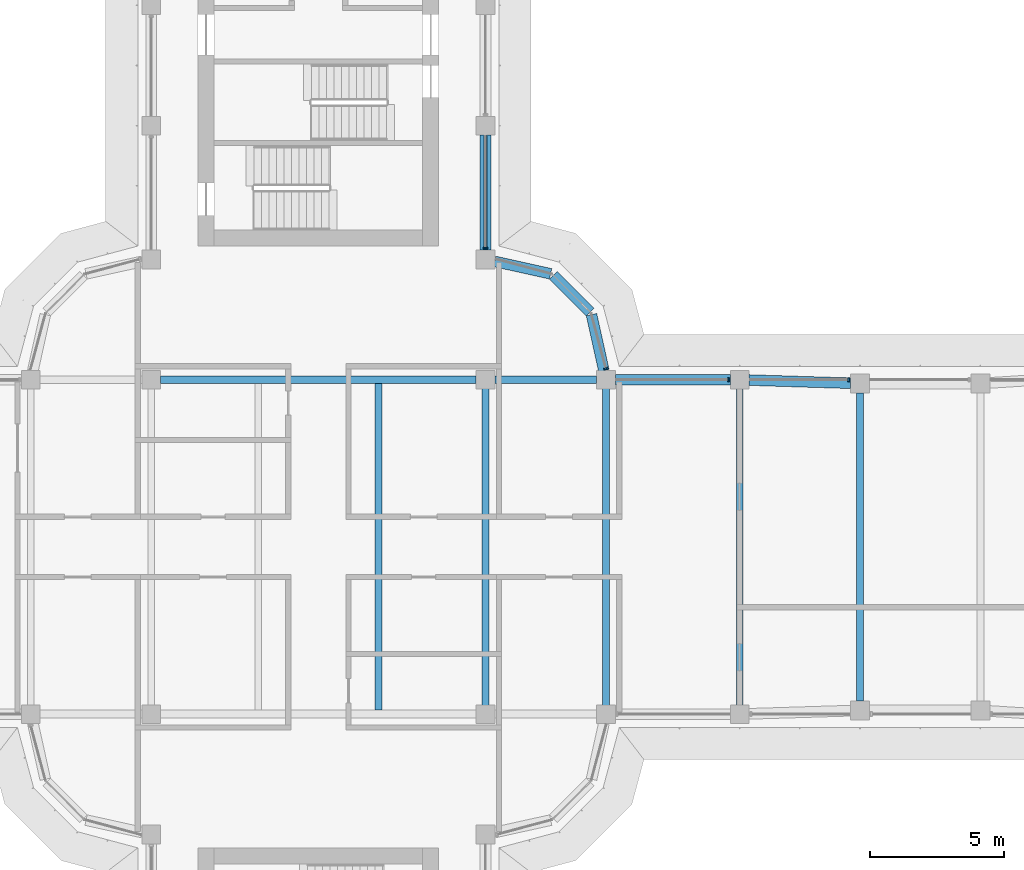
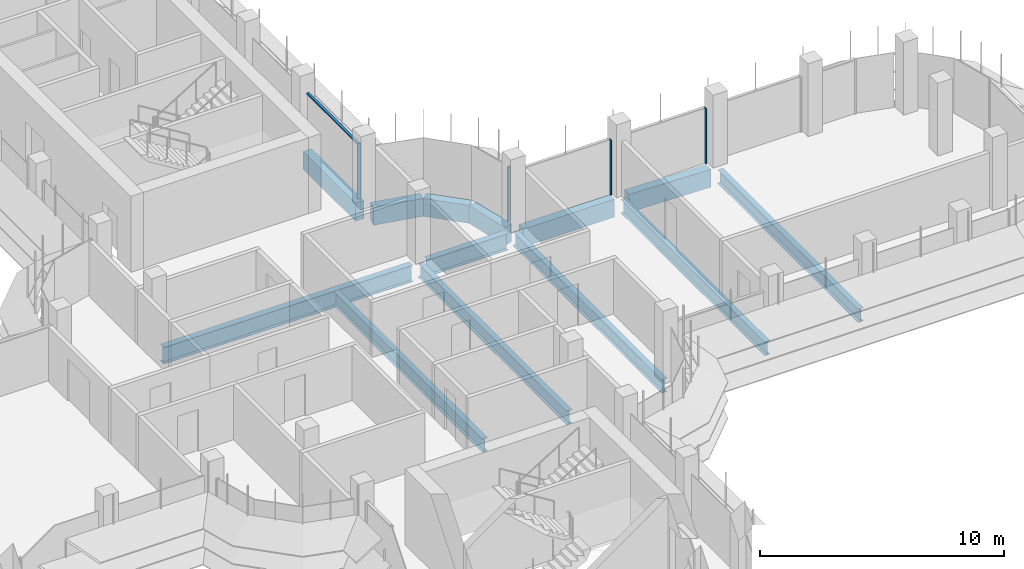
# One storey, part 8 of 19: 13 beams, 5 members, 3 elements without a shape of their own.
"""IFC4 building model written with IfcOpenShell, lengths in metres."""

from ifc_helpers import new_model, si_unit, direction, frame, origin, origin_2d, place, context, subcontext, project, spatial, polyline, rectangle, i_section, outline, extrude, source, transform, mapped, material, material_profile, profile_set, type_object, element, aggregate, save


model = new_model("IFC4")

# Units and contexts
model_context = context("Model", 3, precision=1e-05, world=origin(), true_north=direction((0.0, 1.0)))
body_context = subcontext(model_context, "Body", "Model", "MODEL_VIEW")
ifc_project = project(units=[si_unit("LENGTHUNIT", "METRE"), si_unit("AREAUNIT", "SQUARE_METRE"), si_unit("VOLUMEUNIT", "CUBIC_METRE"), si_unit("PLANEANGLEUNIT", "RADIAN"), si_unit("MASSUNIT", "GRAM", prefix="KILO")], contexts=[model_context])

# Site, building, storey
site_placement = place(None, origin())
site = spatial("IfcSite", under=ifc_project, at=site_placement, CompositionType="ELEMENT")
building_placement = place(site_placement, origin())
building = spatial("IfcBuilding", under=site, at=building_placement, Name="Zarbagh Exchange Tower", CompositionType="ELEMENT")
storey_placement = place(building_placement, frame((0.0, 0.0, 222.0)))
storey = spatial("IfcBuildingStorey", under=building, at=storey_placement, Name="L54", CompositionType="ELEMENT", Elevation=222.0)

# Beams
ifc_material_1 = material(Name="Steel ASTM A992 Gr 50", Category="steel")
ifc_material_profile_1 = material_profile(ifc_material_1, i_section(OverallWidth=0.25390625, OverallDepth=0.67822265625, WebThickness=0.01171875, FlangeThickness=0.016357421875, at=origin_2d()), Name="W27X84")
ifc_profile_set_1 = profile_set([ifc_material_profile_1], Name="Steel ASTM A992 Gr 50")
beam_type_1 = type_object("IfcBeamType", Name="Floor beam W27X84", PredefinedType="BEAM", material=ifc_profile_set_1)
for number, where, z_axis, x_axis, name in (
    (1, (2.25, -6.10400390625, -0.489013671875), (0.0, 1.0, 0.0), (-1.0, 0.0, 0.0), "Steel floor beam"),
    (2, (6.25, -6.10400390625, -0.489013671875), (0.0, 1.0, 0.0), (-1.0, 0.0, 0.0), "Steel floor beam"),
    (3, (10.75, -6.10400390625, -0.489013671875), (0.0, 1.0, 0.0), (-1.0, 0.0, 0.0), "Steel floor beam"),
):
    element("IfcBeam", number, at=place(storey_placement, frame(where, z_axis=z_axis, x_axis=x_axis)), inside=storey, type_object=beam_type_1, Name=name, PredefinedType="BEAM", context=body_context, shape_type="SweptSolid", body=[
        extrude(i_section(OverallWidth=0.25390625, OverallDepth=0.67822265625, WebThickness=0.01171875, FlangeThickness=0.016357421875, at=origin_2d()), origin(), (0.0, 0.0, 1.0), 12.2080078125),
    ])
beam_1_placement = place(storey_placement, frame((15.75, -5.89990234375, -0.489013671875), z_axis=(0.0, 1.0, 0.0), x_axis=(-1.0, 0.0, 0.0)))
element("IfcBeam", 4, at=beam_1_placement, inside=storey, type_object=beam_type_1, Name="Steel floor beam", PredefinedType="BEAM", context=body_context, shape_type="SweptSolid", body=[
    extrude(i_section(OverallWidth=0.25390625, OverallDepth=0.67822265625, WebThickness=0.01171875, FlangeThickness=0.016357421875, at=origin_2d()), origin(), (0.0, 0.0, 1.0), 11.7998046875),
])
beam_2_placement = place(storey_placement, frame((20.25, -5.760009765625, -0.489013671875), z_axis=(0.0, 1.0, 0.0), x_axis=(-1.0, 0.0, 0.0)))
element("IfcBeam", 5, at=beam_2_placement, inside=storey, type_object=beam_type_1, Name="Steel floor beam", PredefinedType="BEAM", context=body_context, shape_type="SweptSolid", body=[
    extrude(i_section(OverallWidth=0.25390625, OverallDepth=0.67822265625, WebThickness=0.01171875, FlangeThickness=0.016357421875, at=origin_2d()), origin(), (0.0, 0.0, 1.0), 11.52001953125),
])
ifc_material_profile_2 = material_profile(ifc_material_1, i_section(OverallWidth=0.2919921875, OverallDepth=0.835693359375, WebThickness=0.013916015625, FlangeThickness=0.018798828125, at=origin_2d()), Name="W33X118")
ifc_profile_set_2 = profile_set([ifc_material_profile_2], Name="Steel ASTM A992 Gr 50")
beam_type_2 = type_object("IfcBeamType", Name="Floor girder W33X118", PredefinedType="BEAM", material=ifc_profile_set_2)
beam_3_placement = place(storey_placement, frame((-5.89990234375, 6.25, -0.56787109375), z_axis=(1.0, 0.0, 0.0), x_axis=(0.0, 1.0, 0.0)))
element("IfcBeam", 6, at=beam_3_placement, inside=storey, type_object=beam_type_2, Name="Steel girder", PredefinedType="BEAM", context=body_context, shape_type="SweptSolid", body=[
    extrude(i_section(OverallWidth=0.2919921875, OverallDepth=0.835693359375, WebThickness=0.013916015625, FlangeThickness=0.018798828125, at=origin_2d()), origin(), (0.0, 0.0, 1.0), 11.7998046875),
])
beam_4_placement = place(storey_placement, frame((6.60009765625, 6.25, -0.56787109375), z_axis=(1.0, 0.0, 0.0), x_axis=(0.0, 1.0, 0.0)))
element("IfcBeam", 7, at=beam_4_placement, inside=storey, type_object=beam_type_2, Name="Steel girder", PredefinedType="BEAM", context=body_context, shape_type="SweptSolid", body=[
    extrude(i_section(OverallWidth=0.2919921875, OverallDepth=0.835693359375, WebThickness=0.013916015625, FlangeThickness=0.018798828125, at=origin_2d()), origin(), (0.0, 0.0, 1.0), 3.7998046875),
])
ifc_material_2 = material(Name="Concrete C50/60", Category="concrete")
ifc_material_profile_3 = material_profile(ifc_material_2, rectangle(XDim=0.39990234375, YDim=0.89990234375, at=origin_2d()), Name="RC spandrel beam 400 x 900 C50/60")
ifc_profile_set_3 = profile_set([ifc_material_profile_3], Name="Concrete C50/60")
beam_type_3 = type_object("IfcBeamType", Name="RC spandrel beam 400 x 900 C50/60", PredefinedType="SPANDREL", material=ifc_profile_set_3)
beam_5_placement = place(storey_placement, frame((6.25, 15.39990234375, -0.60009765625), z_axis=(0.0, -1.0, 0.0), x_axis=(1.0, 0.0, 0.0)))
element("IfcBeam", 8, at=beam_5_placement, inside=storey, type_object=beam_type_3, Name="RC spandrel beam", PredefinedType="SPANDREL", context=body_context, shape_type="SweptSolid", body=[
    extrude(rectangle(XDim=0.39990234375, YDim=0.89990234375, at=origin_2d()), origin(), (0.0, 0.0, 1.0), 4.2998046875),
])
beam_6_placement = place(storey_placement, frame((6.591796875, 10.67431640625, -0.60009765625), z_axis=(0.97639036545, -0.216013551096, 0.0), x_axis=(0.216013551096, 0.97639036545, 0.0)))
element("IfcBeam", 9, at=beam_6_placement, inside=storey, type_object=beam_type_3, Name="RC spandrel beam", PredefinedType="SPANDREL", context=body_context, shape_type="SweptSolid", body=[
    extrude(rectangle(XDim=0.39990234375, YDim=0.89990234375, at=origin_2d()), origin(), (0.0, 0.0, 1.0), 2.142822265625),
])
beam_7_placement = place(storey_placement, frame((8.782470703125, 10.15771484375, -0.60009765625), z_axis=(0.707106781187, -0.707106781187, 0.0), x_axis=(0.707106781187, 0.707106781187, 0.0)))
element("IfcBeam", 10, at=beam_7_placement, inside=storey, type_object=beam_type_3, Name="RC spandrel beam", PredefinedType="SPANDREL", context=body_context, shape_type="SweptSolid", body=[
    extrude(rectangle(XDim=0.39990234375, YDim=0.89990234375, at=origin_2d()), origin(), (0.0, 0.0, 1.0), 1.94482421875),
])
beam_8_placement = place(storey_placement, frame((10.21142578125, 8.68408203125, -0.60009765625), z_axis=(0.216013551096, -0.97639036545, 0.0), x_axis=(0.97639036545, 0.216013551096, 0.0)))
element("IfcBeam", 11, at=beam_8_placement, inside=storey, type_object=beam_type_3, Name="RC spandrel beam", PredefinedType="SPANDREL", context=body_context, shape_type="SweptSolid", body=[
    extrude(rectangle(XDim=0.39990234375, YDim=0.89990234375, at=origin_2d()), origin(), (0.0, 0.0, 1.0), 2.142822265625),
])
beam_9_placement = place(storey_placement, frame((11.10009765625, 6.25, -0.60009765625), z_axis=(1.0, 0.0, 0.0), x_axis=(0.0, 1.0, 0.0)))
element("IfcBeam", 12, at=beam_9_placement, inside=storey, type_object=beam_type_3, Name="RC spandrel beam", PredefinedType="SPANDREL", context=body_context, shape_type="SweptSolid", body=[
    extrude(rectangle(XDim=0.39990234375, YDim=0.89990234375, at=origin_2d()), origin(), (0.0, 0.0, 1.0), 4.2998046875),
])
beam_10_placement = place(storey_placement, frame((16.099853515625, 6.239013671875, -0.60009765625), z_axis=(0.999516950199, -0.031078389046, 0.0), x_axis=(0.031078389046, 0.999516950199, 0.0)))
element("IfcBeam", 13, at=beam_10_placement, inside=storey, type_object=beam_type_3, Name="RC spandrel beam", PredefinedType="SPANDREL", context=body_context, shape_type="SweptSolid", body=[
    extrude(rectangle(XDim=0.39990234375, YDim=0.89990234375, at=origin_2d()), origin(), (0.0, 0.0, 1.0), 3.80224609375),
])

# Curtain wall, members
ifc_material_3 = material(Name="Anodised aluminium frame and glazing", Category="aluminium")
curtain_wall_type = type_object("IfcCurtainWallType", Name="CWB Ribbon glazing, upper zones", PredefinedType="NOTDEFINED", material=ifc_material_3)
curtain_wall_1_placement = place(storey_placement, origin())
curtain_wall_1 = element("IfcCurtainWall", 14, at=curtain_wall_1_placement, inside=storey, type_object=curtain_wall_type, Name="CWB16 curtain wall", PredefinedType="NOTDEFINED")
ifc_material_4 = material(Name="Anodised aluminium frame", Category="aluminium")
member_type_1 = type_object("IfcMemberType", Name="MUB Mullion, anodised aluminium frame", PredefinedType="MULLION", material=ifc_material_4)
shared_shape_1 = source(origin(), body_context, "Body", "SweptSolid", [
    extrude(outline(polyline([(0.0, -0.080078125), (0.06005859375, -0.080078125), (0.06005859375, 0.080078125), (0.0, 0.080078125), (0.0, -0.080078125)])), origin(), (0.0, 0.0, 1.0), 2.75),
])
placement = place(storey_placement, origin())
member_1 = element("IfcMember", 15, at=placement, type_object=member_type_1, Name="CWB16 mullion 3.1", PredefinedType="MULLION", context=body_context, shape_type="MappedRepresentation", body=[
    mapped(shared_shape_1, transform((19.85986328125, 6.25, 0.0), x_axis=(-1.0, 0.0, 0.0), y_axis=(0.0, -1.0, 0.0), z_axis=(0.0, 0.0, 1.0))),
])
member_2 = element("IfcMember", 16, at=placement, type_object=member_type_1, Name="CWB16 mullion 4.1", PredefinedType="MULLION", context=body_context, shape_type="MappedRepresentation", body=[
    mapped(shared_shape_1, transform((15.35986328125, 6.25, 0.0), x_axis=(-1.0, 0.0, 0.0), y_axis=(0.0, -1.0, 0.0), z_axis=(0.0, 0.0, 1.0))),
])
aggregate(curtain_wall_1, [member_1, member_2])

# Curtain wall, member
curtain_wall_2_placement = place(storey_placement, origin())
curtain_wall_2 = element("IfcCurtainWall", 17, at=curtain_wall_2_placement, inside=storey, type_object=curtain_wall_type, Name="CWB17 curtain wall", PredefinedType="NOTDEFINED")
member_3 = element("IfcMember", 18, at=placement, type_object=member_type_1, Name="CWB17 mullion 1.1", PredefinedType="MULLION", context=body_context, shape_type="MappedRepresentation", body=[
    mapped(shared_shape_1, transform((10.76171875, 6.64013671875, 0.0), x_axis=(-0.258824779902, 0.965924289636, 0.0), y_axis=(-0.965924289636, -0.258824779902, 0.0), z_axis=(0.0, 0.0, 1.0))),
])
aggregate(curtain_wall_2, [member_3])

# Curtain wall, members
curtain_wall_3_placement = place(storey_placement, origin())
curtain_wall_3 = element("IfcCurtainWall", 19, at=curtain_wall_3_placement, inside=storey, type_object=curtain_wall_type, Name="CWB67 curtain wall", PredefinedType="NOTDEFINED")
member_4 = element("IfcMember", 20, at=placement, type_object=member_type_1, Name="CWB67 mullion 1.1", PredefinedType="MULLION", context=body_context, shape_type="MappedRepresentation", body=[
    mapped(shared_shape_1, transform((6.25, 11.14013671875, 0.0), x_axis=(0.0, 1.0, 0.0), y_axis=(-1.0, 0.0, 0.0), z_axis=(0.0, 0.0, 1.0))),
])
member_type_2 = type_object("IfcMemberType", Name="TRB Transom, anodised aluminium frame", PredefinedType="USERDEFINED", material=ifc_material_4)
shared_shape_2 = source(origin(), body_context, "Body", "SweptSolid", [
    extrude(outline(polyline([(-0.06005859375, -0.06005859375), (0.0, -0.06005859375), (0.0, 0.06005859375), (-0.06005859375, 0.06005859375), (-0.06005859375, -0.06005859375)])), origin(), (0.0, 0.0, 1.0), 4.159912109375),
])
member_5 = element("IfcMember", 21, at=placement, type_object=member_type_2, Name="CWB67 transom 1.1", ObjectType="TRANSOM", PredefinedType="USERDEFINED", context=body_context, shape_type="MappedRepresentation", body=[
    mapped(shared_shape_2, transform((6.25, 11.199951171875, 2.75), x_axis=(0.0, 0.0, 1.0), y_axis=(1.0, 0.0, 0.0), z_axis=(0.0, 1.0, 0.0))),
])
aggregate(curtain_wall_3, [member_4, member_5])

save(model, "model.ifc")
